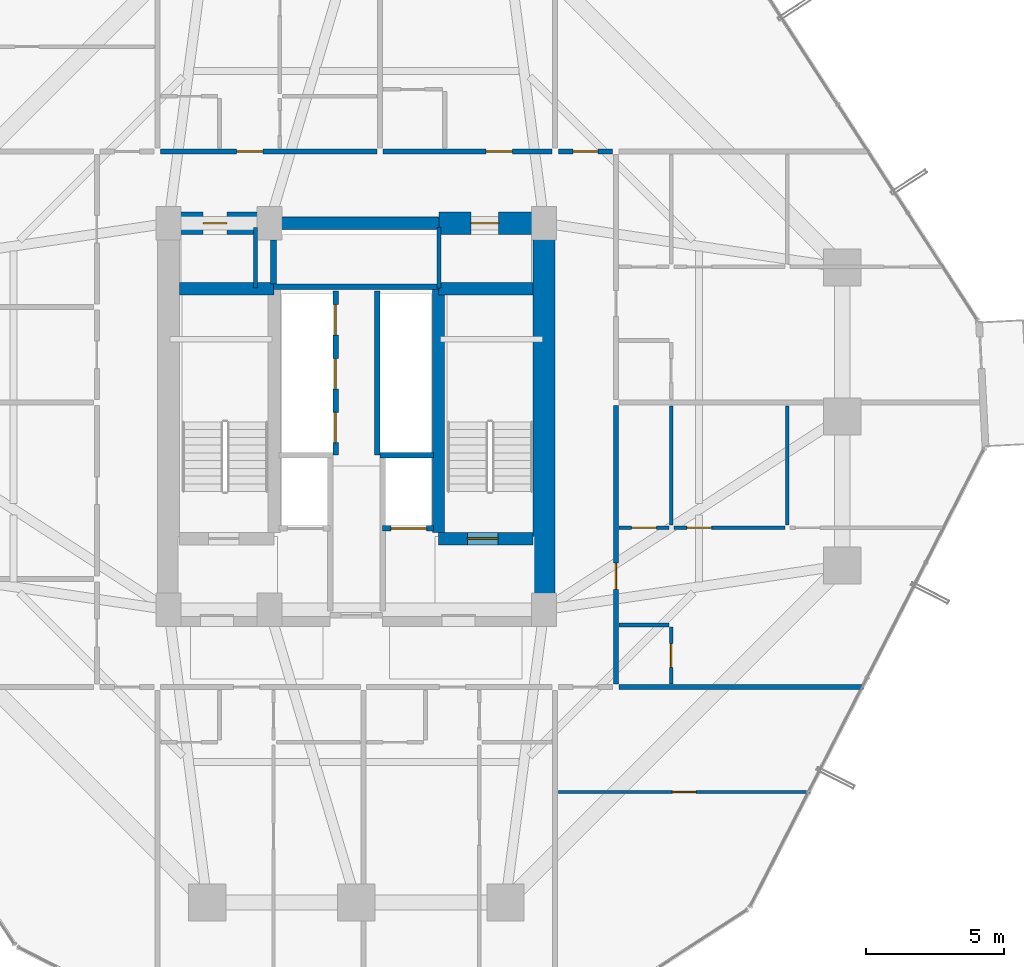
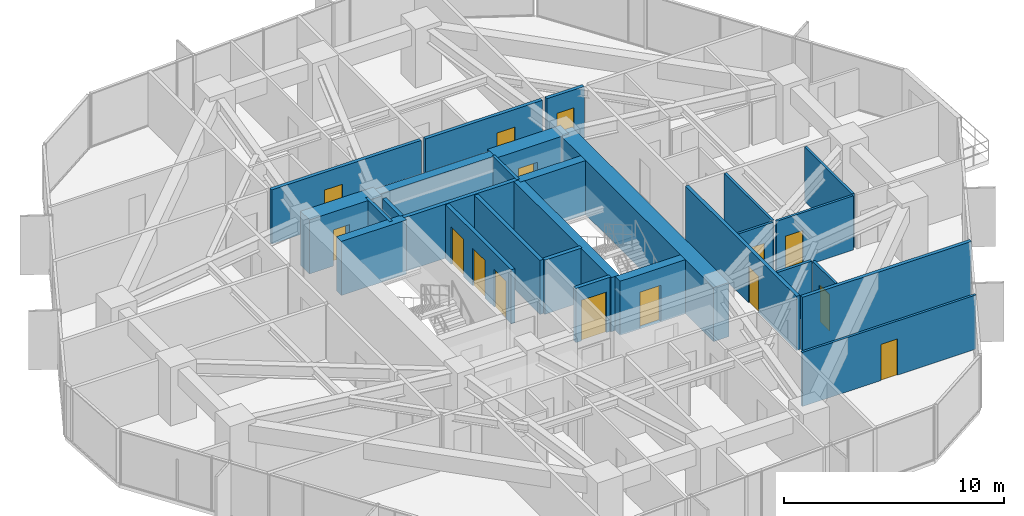
# One storey, part 34 of 37: 28 walls, 15 doors, 15 openings.
"""IFC4 building model written with IfcOpenShell, lengths in metres."""

from ifc_helpers import new_model, si_unit, direction, frame, frame_2d, origin, place, context, subcontext, project, spatial, rectangle, extrude, source, transform, mapped, material, layer, layer_set, type_object, element, fill, save


model = new_model("IFC4")

# Units and contexts
model_context = context("Model", 3, precision=1e-05, world=origin(), true_north=direction((0.0, 1.0)))
body_context = subcontext(model_context, "Body", "Model", "MODEL_VIEW")
ifc_project = project(units=[si_unit("LENGTHUNIT", "METRE"), si_unit("AREAUNIT", "SQUARE_METRE"), si_unit("VOLUMEUNIT", "CUBIC_METRE"), si_unit("PLANEANGLEUNIT", "RADIAN"), si_unit("MASSUNIT", "GRAM", prefix="KILO")], contexts=[model_context])

# Site, building, storey
site_placement = place(None, origin())
site = spatial("IfcSite", under=ifc_project, at=site_placement, CompositionType="ELEMENT")
building_placement = place(site_placement, origin())
building = spatial("IfcBuilding", under=site, at=building_placement, Name="Veraguas Prism Commons", CompositionType="ELEMENT")
storey_placement = place(building_placement, frame((0.0, 0.0, 33.800048828125)))
storey = spatial("IfcBuildingStorey", under=building, at=storey_placement, Name="L08", CompositionType="ELEMENT", Elevation=33.800048828125)

# Wall
ifc_material_1 = material(Name="Concrete C60/75", Category="concrete")
ifc_layer_1 = layer(ifc_material_1, 0.449951171875, Name="Core Internal Shear Wall Lower RC 450", Category="concrete")
ifc_layer_set_1 = layer_set([ifc_layer_1], Name="Concrete C60/75")
wall_type_1 = type_object("IfcWallType", Name="Core Internal Shear Wall Lower RC 450", PredefinedType="SHEAR", material=ifc_layer_set_1)
wall_1_placement = place(storey_placement, frame((21.0, 31.0, 0.0), z_axis=(0.0, 0.0, 1.0), x_axis=(1.0, 0.0, 0.0)))
element("IfcWall", 1, at=wall_1_placement, inside=storey, type_object=wall_type_1, Name="High-Rise Lift Bank Front Shear Wall L08", PredefinedType="SHEAR", context=body_context, shape_type="SweptSolid", body=[
    extrude(rectangle(XDim=6.0, YDim=0.449951171875, at=frame_2d((3.0, 0.0))), origin(), (0.0, 0.0, 1.0), 3.0),
])

# Wall, opening, door
wall_2_placement = place(storey_placement, frame((26.97509765625, 19.574951171875, 0.0), z_axis=(0.0, 0.0, 1.0), x_axis=(1.0, 0.0, 0.0)))
wall_2 = element("IfcWall", 2, at=wall_2_placement, inside=storey, type_object=wall_type_1, Name="Stair ST-02 South Shear Wall L08", PredefinedType="SHEAR", context=body_context, shape_type="SweptSolid", body=[
    extrude(rectangle(XDim=3.4248046875, YDim=0.449951171875, at=frame_2d((1.71240234375, 0.0))), origin(), (0.0, 0.0, 1.0), 3.0),
])
opening_1_placement = place(wall_2_placement, frame((1.050048828125, 0.0, 0.0)))
opening_1 = element("IfcOpeningElement", 3, at=opening_1_placement, cuts=wall_2, Name="Opening DR-05", PredefinedType="OPENING", context=body_context, shape_type="SweptSolid", body=[
    extrude(rectangle(XDim=1.10009765625, YDim=2.030029296875, at=frame_2d((0.550048828125, 1.01513671875))), frame((0.0, 0.23486328125, 0.0), z_axis=(0.0, -1.0, 0.0), x_axis=(1.0, 0.0, 0.0)), (0.0, 0.0, 1.0), 0.469970703125),
])
ifc_material_2 = material(Name="Steel fire-rated door assembly", Category="steel")
door_type_1 = type_object("IfcDoorType", Name="Protected Stair and Refuge Fire Door 1100x2030", OperationType="NOTDEFINED", PredefinedType="DOOR", material=ifc_material_2)
shared_shape_1 = source(origin(), body_context, "Body", "SweptSolid", [
    extrude(rectangle(XDim=1.10009765625, YDim=2.030029296875, at=frame_2d((0.550048828125, 1.01513671875))), frame((0.0, 0.02490234375, 0.0), z_axis=(0.0, -1.0, 0.0), x_axis=(1.0, 0.0, 0.0)), (0.0, 0.0, 1.0), 0.050048828125),
])
door_1_placement = place(opening_1_placement, origin())
door_1 = element("IfcDoor", 4, at=door_1_placement, inside=storey, type_object=door_type_1, Name="Stair ST-02 Enclosure Door L08", OperationType="SINGLE_SWING_RIGHT", OverallHeight=2.030029296875, OverallWidth=1.10009765625, PredefinedType="DOOR", context=body_context, shape_type="MappedRepresentation", body=[
    mapped(shared_shape_1, transform((0.0, 0.0, 0.0), scale=1.0)),
])
fill(opening_1, door_1)

# Walls
wall_3_placement = place(storey_placement, frame((26.97509765625, 19.800048828125, 0.0), z_axis=(0.0, 0.0, 1.0), x_axis=(0.0, 1.0, 0.0)))
element("IfcWall", 5, at=wall_3_placement, inside=storey, type_object=wall_type_1, Name="Stair ST-02 Inner Shear Wall L08", PredefinedType="SHEAR", context=body_context, shape_type="SweptSolid", body=[
    extrude(rectangle(XDim=8.824951171875, YDim=0.449951171875, at=frame_2d((4.41259765625, 0.0))), origin(), (0.0, 0.0, 1.0), 3.0),
])
for number, where, z_axis, x_axis, name in (
    (6, (17.60009765625, 28.625, 0.0), (0.0, 0.0, 1.0), (1.0, 0.0, 0.0), "Stair ST-01 North Shear Wall L08"),
    (7, (26.97509765625, 28.625, 0.0), (0.0, 0.0, 1.0), (1.0, 0.0, 0.0), "Stair ST-02 North Shear Wall L08"),
):
    element("IfcWall", number, at=place(storey_placement, frame(where, z_axis=z_axis, x_axis=x_axis)), inside=storey, type_object=wall_type_1, Name=name, PredefinedType="SHEAR", context=body_context, shape_type="SweptSolid", body=[
        extrude(rectangle(XDim=3.4248046875, YDim=0.449951171875, at=frame_2d((1.71240234375, 0.0))), origin(), (0.0, 0.0, 1.0), 3.0),
    ])
ifc_layer_2 = layer(ifc_material_1, 0.800048828125, Name="Core Outer Shear Wall Lower RC 800", Category="concrete")
ifc_layer_set_2 = layer_set([ifc_layer_2], Name="Concrete C60/75")
wall_type_2 = type_object("IfcWallType", Name="Core Outer Shear Wall Lower RC 800", PredefinedType="SHEAR", material=ifc_layer_set_2)
wall_4_placement = place(storey_placement, frame((30.800048828125, 16.800048828125, 0.0), z_axis=(0.0, 0.0, 1.0), x_axis=(0.0, 1.0, 0.0)))
element("IfcWall", 8, at=wall_4_placement, inside=storey, type_object=wall_type_2, Name="Central Core East Shear Wall L08", PredefinedType="SHEAR", context=body_context, shape_type="SweptSolid", body=[
    extrude(rectangle(XDim=14.199951171875, YDim=0.800048828125, at=frame_2d((7.10009765625, 0.0))), origin(), (0.0, 0.0, 1.0), 3.0),
])

# Wall, opening, door
wall_5_placement = place(storey_placement, frame((17.199951171875, 31.0, 0.0), z_axis=(0.0, 0.0, 1.0), x_axis=(1.0, 0.0, 0.0)))
wall_5 = element("IfcWall", 9, at=wall_5_placement, inside=storey, type_object=wall_type_2, Name="Central Core North-West Shear Wall L08", PredefinedType="SHEAR", context=body_context, shape_type="SweptSolid", body=[
    extrude(rectangle(XDim=3.800048828125, YDim=0.800048828125, at=frame_2d((1.89990234375, 0.0))), origin(), (0.0, 0.0, 1.0), 3.0),
])
opening_2_placement = place(wall_5_placement, frame((1.25, 0.0, 0.0)))
opening_2 = element("IfcOpeningElement", 10, at=opening_2_placement, cuts=wall_5, Name="Opening DR-12", PredefinedType="OPENING", context=body_context, shape_type="SweptSolid", body=[
    extrude(rectangle(XDim=0.860107421875, YDim=2.010009765625, at=frame_2d((0.43017578125, 1.0048828125))), frame((0.0, 0.409912109375, 0.0), z_axis=(0.0, -1.0, 0.0), x_axis=(1.0, 0.0, 0.0)), (0.0, 0.0, 1.0), 0.820068359375),
])
door_type_2 = type_object("IfcDoorType", Name="Core WC Fire Door 860x2010", OperationType="NOTDEFINED", PredefinedType="DOOR", material=ifc_material_2)
shared_shape_2 = source(origin(), body_context, "Body", "SweptSolid", [
    extrude(rectangle(XDim=0.860107421875, YDim=2.010009765625, at=frame_2d((0.43017578125, 1.0048828125))), frame((0.0, 0.02490234375, 0.0), z_axis=(0.0, -1.0, 0.0), x_axis=(1.0, 0.0, 0.0)), (0.0, 0.0, 1.0), 0.050048828125),
])
door_2_placement = place(opening_2_placement, origin())
door_2 = element("IfcDoor", 11, at=door_2_placement, inside=storey, type_object=door_type_2, Name="Core NW Service Door L08", OperationType="SINGLE_SWING_LEFT", OverallHeight=2.010009765625, OverallWidth=0.860107421875, PredefinedType="DOOR", context=body_context, shape_type="MappedRepresentation", body=[
    mapped(shared_shape_2, transform((0.0, 0.0, 0.0), scale=1.0)),
])
fill(opening_2, door_2)

wall_6_placement = place(storey_placement, frame((27.0, 31.0, 0.0), z_axis=(0.0, 0.0, 1.0), x_axis=(1.0, 0.0, 0.0)))
wall_6 = element("IfcWall", 12, at=wall_6_placement, inside=storey, type_object=wall_type_2, Name="Central Core North-East Shear Wall L08", PredefinedType="SHEAR", context=body_context, shape_type="SweptSolid", body=[
    extrude(rectangle(XDim=3.800048828125, YDim=0.800048828125, at=frame_2d((1.89990234375, 0.0))), origin(), (0.0, 0.0, 1.0), 3.0),
])
opening_3_placement = place(wall_6_placement, frame((1.14990234375, 0.0, 0.0)))
opening_3 = element("IfcOpeningElement", 13, at=opening_3_placement, cuts=wall_6, Name="Opening DR-13", PredefinedType="OPENING", context=body_context, shape_type="SweptSolid", body=[
    extrude(rectangle(XDim=1.0, YDim=2.010009765625, at=frame_2d((0.5, 1.0048828125))), frame((0.0, 0.409912109375, 0.0), z_axis=(0.0, -1.0, 0.0), x_axis=(1.0, 0.0, 0.0)), (0.0, 0.0, 1.0), 0.820068359375),
])
door_type_3 = type_object("IfcDoorType", Name="Core Accessible WC and Clinic Fire Door 1000x2010", OperationType="NOTDEFINED", PredefinedType="DOOR", material=ifc_material_2)
shared_shape_3 = source(origin(), body_context, "Body", "SweptSolid", [
    extrude(rectangle(XDim=1.0, YDim=2.010009765625, at=frame_2d((0.5, 1.0048828125))), frame((0.0, 0.02490234375, 0.0), z_axis=(0.0, -1.0, 0.0), x_axis=(1.0, 0.0, 0.0)), (0.0, 0.0, 1.0), 0.050048828125),
])
door_3_placement = place(opening_3_placement, origin())
door_3 = element("IfcDoor", 14, at=door_3_placement, inside=storey, type_object=door_type_3, Name="Core NE Pantry Door L08", OperationType="SINGLE_SWING_RIGHT", OverallHeight=2.010009765625, OverallWidth=1.0, PredefinedType="DOOR", context=body_context, shape_type="MappedRepresentation", body=[
    mapped(shared_shape_3, transform((0.0, 0.0, 0.0), scale=1.0)),
])
fill(opening_3, door_3)

ifc_material_3 = material(Name="Autoclaved aerated masonry block 10 MPa", Category="masonry")
ifc_layer_3 = layer(ifc_material_3, 0.179931640625, Name="Corridor and Inter-Tenancy Partition 180", Category="masonry")
ifc_layer_set_3 = layer_set([ifc_layer_3], Name="Autoclaved aerated masonry block 10 MPa")
wall_type_3 = type_object("IfcWallType", Name="Corridor and Inter-Tenancy Partition 180", PredefinedType="PARTITIONING", material=ifc_layer_set_3)
wall_7_placement = place(storey_placement, frame((16.909912109375, 33.60009765625, 0.0), z_axis=(0.0, 0.0, 1.0), x_axis=(1.0, 0.0, 0.0)))
wall_7 = element("IfcWall", 15, at=wall_7_placement, inside=storey, type_object=wall_type_3, Name="WL-L08-PT018", PredefinedType="PARTITIONING", context=body_context, shape_type="SweptSolid", body=[
    extrude(rectangle(XDim=7.83203125, YDim=0.179931640625, at=frame_2d((3.916015625, 0.0))), origin(), (0.0, 0.0, 1.0), 3.0),
])
opening_4_placement = place(wall_7_placement, frame((2.75439453125, 0.0, 0.0)))
opening_4 = element("IfcOpeningElement", 16, at=opening_4_placement, cuts=wall_7, Name="Opening DR-01", PredefinedType="OPENING", context=body_context, shape_type="SweptSolid", body=[
    extrude(rectangle(XDim=0.949951171875, YDim=2.02001953125, at=frame_2d((0.47509765625, 1.010009765625))), frame((0.0, 0.099853515625, 0.0), z_axis=(0.0, -1.0, 0.0), x_axis=(1.0, 0.0, 0.0)), (0.0, 0.0, 1.0), 0.199951171875),
])
ifc_material_4 = material(Name="Anodised aluminium EN AW-6063 T6", Category="aluminium")
door_type_4 = type_object("IfcDoorType", Name="Apartment Entrance Fire Door 950x2020", OperationType="NOTDEFINED", PredefinedType="DOOR", material=ifc_material_4)
shared_shape_4 = source(origin(), body_context, "Body", "SweptSolid", [
    extrude(rectangle(XDim=0.949951171875, YDim=2.02001953125, at=frame_2d((0.47509765625, 1.010009765625))), frame((0.0, 0.02490234375, 0.0), z_axis=(0.0, -1.0, 0.0), x_axis=(1.0, 0.0, 0.0)), (0.0, 0.0, 1.0), 0.050048828125),
])
door_4_placement = place(opening_4_placement, origin())
door_4 = element("IfcDoor", 17, at=door_4_placement, inside=storey, type_object=door_type_4, Name="Flat 08C Entrance Door", OperationType="SINGLE_SWING_LEFT", OverallHeight=2.02001953125, OverallWidth=0.949951171875, PredefinedType="DOOR", context=body_context, shape_type="MappedRepresentation", body=[
    mapped(shared_shape_4, transform((0.0, 0.0, 0.0), scale=1.0)),
])
fill(opening_4, door_4)

wall_8_placement = place(storey_placement, frame((24.9619140625, 33.60009765625, 0.0), z_axis=(0.0, 0.0, 1.0), x_axis=(1.0, 0.0, 0.0)))
wall_8 = element("IfcWall", 18, at=wall_8_placement, inside=storey, type_object=wall_type_3, Name="WL-L08-PT025", PredefinedType="PARTITIONING", context=body_context, shape_type="SweptSolid", body=[
    extrude(rectangle(XDim=6.128173828125, YDim=0.179931640625, at=frame_2d((3.06396484375, 0.0))), origin(), (0.0, 0.0, 1.0), 3.0),
])
opening_5_placement = place(wall_8_placement, frame((3.735595703125, 0.0, 0.0)))
opening_5 = element("IfcOpeningElement", 19, at=opening_5_placement, cuts=wall_8, Name="Opening DR-01", PredefinedType="OPENING", context=body_context, shape_type="SweptSolid", body=[
    extrude(rectangle(XDim=0.949951171875, YDim=2.02001953125, at=frame_2d((0.47509765625, 1.010009765625))), frame((0.0, 0.099853515625, 0.0), z_axis=(0.0, -1.0, 0.0), x_axis=(1.0, 0.0, 0.0)), (0.0, 0.0, 1.0), 0.199951171875),
])
door_5_placement = place(opening_5_placement, origin())
door_5 = element("IfcDoor", 20, at=door_5_placement, inside=storey, type_object=door_type_4, Name="Studio 08D Entrance Door", OperationType="SINGLE_SWING_LEFT", OverallHeight=2.02001953125, OverallWidth=0.949951171875, PredefinedType="DOOR", context=body_context, shape_type="MappedRepresentation", body=[
    mapped(shared_shape_4, transform((0.0, 0.0, 0.0), scale=1.0)),
])
fill(opening_5, door_5)

# Wall
wall_9_placement = place(storey_placement, frame((33.52001953125, 14.199951171875, 0.0), z_axis=(0.0, 0.0, 1.0), x_axis=(1.0, 0.0, 0.0)))
element("IfcWall", 21, at=wall_9_placement, inside=storey, type_object=wall_type_3, Name="WL-L08-PT037", PredefinedType="PARTITIONING", context=body_context, shape_type="SweptSolid", body=[
    extrude(rectangle(XDim=8.846923828125, YDim=0.179931640625, at=frame_2d((4.42333984375, 0.0))), origin(), (0.0, 0.0, 1.0), 3.0),
])

# Wall, opening, door
wall_10_placement = place(storey_placement, frame((33.39990234375, 14.31005859375, 0.0), z_axis=(0.0, 0.0, 1.0), x_axis=(0.0, 1.0, 0.0)))
wall_10 = element("IfcWall", 22, at=wall_10_placement, inside=storey, type_object=wall_type_3, Name="WL-L08-PT039", PredefinedType="PARTITIONING", context=body_context, shape_type="SweptSolid", body=[
    extrude(rectangle(XDim=10.087890625, YDim=0.179931640625, at=frame_2d((5.0439453125, 0.0))), origin(), (0.0, 0.0, 1.0), 3.0),
])
opening_6_placement = place(wall_10_placement, frame((3.426025390625, 0.0, 0.0)))
opening_6 = element("IfcOpeningElement", 23, at=opening_6_placement, cuts=wall_10, Name="Opening DR-01", PredefinedType="OPENING", context=body_context, shape_type="SweptSolid", body=[
    extrude(rectangle(XDim=0.949951171875, YDim=2.02001953125, at=frame_2d((0.47509765625, 1.010009765625))), frame((0.0, 0.099853515625, 0.0), z_axis=(0.0, -1.0, 0.0), x_axis=(1.0, 0.0, 0.0)), (0.0, 0.0, 1.0), 0.199951171875),
])
door_6_placement = place(opening_6_placement, origin())
door_6 = element("IfcDoor", 24, at=door_6_placement, inside=storey, type_object=door_type_4, Name="Flat 08E Entrance Door", OperationType="SINGLE_SWING_LEFT", OverallHeight=2.02001953125, OverallWidth=0.949951171875, PredefinedType="DOOR", context=body_context, shape_type="MappedRepresentation", body=[
    mapped(shared_shape_4, transform((0.0, 0.0, 0.0), scale=1.0)),
])
fill(opening_6, door_6)

wall_11_placement = place(storey_placement, frame((31.320068359375, 33.60009765625, 0.0), z_axis=(0.0, 0.0, 1.0), x_axis=(1.0, 0.0, 0.0)))
wall_11 = element("IfcWall", 25, at=wall_11_placement, inside=storey, type_object=wall_type_3, Name="WL-L08-PT061", PredefinedType="PARTITIONING", context=body_context, shape_type="SweptSolid", body=[
    extrude(rectangle(XDim=1.9599609375, YDim=0.179931640625, at=frame_2d((0.97998046875, 0.0))), origin(), (0.0, 0.0, 1.0), 3.0),
])
opening_7_placement = place(wall_11_placement, frame((0.530029296875, 0.0, 0.0)))
opening_7 = element("IfcOpeningElement", 26, at=opening_7_placement, cuts=wall_11, Name="Opening DR-14", PredefinedType="OPENING", context=body_context, shape_type="SweptSolid", body=[
    extrude(rectangle(XDim=0.89990234375, YDim=2.010009765625, at=frame_2d((0.449951171875, 1.0048828125))), frame((0.0, 0.099853515625, 0.0), z_axis=(0.0, -1.0, 0.0), x_axis=(1.0, 0.0, 0.0)), (0.0, 0.0, 1.0), 0.199951171875),
])
door_type_5 = type_object("IfcDoorType", Name="Core Service Room Fire Door 900x2010", OperationType="NOTDEFINED", PredefinedType="DOOR", material=ifc_material_2)
shared_shape_5 = source(origin(), body_context, "Body", "SweptSolid", [
    extrude(rectangle(XDim=0.89990234375, YDim=2.010009765625, at=frame_2d((0.449951171875, 1.0048828125))), frame((0.0, 0.02490234375, 0.0), z_axis=(0.0, -1.0, 0.0), x_axis=(1.0, 0.0, 0.0)), (0.0, 0.0, 1.0), 0.050048828125),
])
door_7_placement = place(opening_7_placement, origin())
door_7 = element("IfcDoor", 27, at=door_7_placement, inside=storey, type_object=door_type_5, Name="Residents Cycle and Pram Store NE Door", OperationType="SINGLE_SWING_RIGHT", OverallHeight=2.010009765625, OverallWidth=0.89990234375, PredefinedType="DOOR", context=body_context, shape_type="MappedRepresentation", body=[
    mapped(shared_shape_5, transform((0.0, 0.0, 0.0), scale=1.0)),
])
fill(opening_7, door_7)

ifc_material_5 = material(Name="Lightweight acoustic gypsum board")
ifc_layer_4 = layer(ifc_material_5, 0.125, Name="Internal Apartment Room Partition 125")
ifc_layer_set_4 = layer_set([ifc_layer_4], Name="Lightweight acoustic gypsum board")
wall_type_4 = type_object("IfcWallType", Name="Internal Apartment Room Partition 125", PredefinedType="PARTITIONING", material=ifc_layer_set_4)
wall_12_placement = place(storey_placement, frame((35.39990234375, 14.320068359375, 0.0), z_axis=(0.0, 0.0, 1.0), x_axis=(0.0, 1.0, 0.0)))
wall_12 = element("IfcWall", 28, at=wall_12_placement, inside=storey, type_object=wall_type_4, Name="WL-L08-PT041", PredefinedType="PARTITIONING", context=body_context, shape_type="SweptSolid", body=[
    extrude(rectangle(XDim=2.050048828125, YDim=0.125, at=frame_2d((1.02490234375, 0.0))), origin(), (0.0, 0.0, 1.0), 3.0),
])
opening_8_placement = place(wall_12_placement, frame((0.594970703125, 0.0, 0.0)))
opening_8 = element("IfcOpeningElement", 29, at=opening_8_placement, cuts=wall_12, Name="Opening DR-03", PredefinedType="OPENING", context=body_context, shape_type="SweptSolid", body=[
    extrude(rectangle(XDim=0.860107421875, YDim=2.010009765625, at=frame_2d((0.43017578125, 1.0048828125))), frame((0.0, 0.072509765625, 0.0), z_axis=(0.0, -1.0, 0.0), x_axis=(1.0, 0.0, 0.0)), (0.0, 0.0, 1.0), 0.14501953125),
])
ifc_material_6 = material(Name="Timber moisture-resistant leaf", Category="wood")
door_type_6 = type_object("IfcDoorType", Name="Internal Bathroom Door 860x2010", OperationType="NOTDEFINED", PredefinedType="DOOR", material=ifc_material_6)
door_8_placement = place(opening_8_placement, origin())
door_8 = element("IfcDoor", 30, at=door_8_placement, inside=storey, type_object=door_type_6, Name="Flat 08E Bathroom Door", OperationType="SINGLE_SWING_RIGHT", OverallHeight=2.010009765625, OverallWidth=0.860107421875, PredefinedType="DOOR", context=body_context, shape_type="MappedRepresentation", body=[
    mapped(shared_shape_2, transform((0.0, 0.0, 0.0), scale=1.0)),
])
fill(opening_8, door_8)

wall_13_placement = place(storey_placement, frame((33.52001953125, 19.971923828125, 0.0), z_axis=(0.0, 0.0, 1.0), x_axis=(1.0, 0.0, 0.0)))
wall_13 = element("IfcWall", 31, at=wall_13_placement, inside=storey, type_object=wall_type_4, Name="WL-L08-PT042", PredefinedType="PARTITIONING", context=body_context, shape_type="SweptSolid", body=[
    extrude(rectangle(XDim=1.800048828125, YDim=0.125, at=frame_2d((0.89990234375, 0.0))), origin(), (0.0, 0.0, 1.0), 3.0),
])
opening_9_placement = place(wall_13_placement, frame((0.449951171875, 0.0, 0.0)))
opening_9 = element("IfcOpeningElement", 32, at=opening_9_placement, cuts=wall_13, Name="Opening DR-02", PredefinedType="OPENING", context=body_context, shape_type="SweptSolid", body=[
    extrude(rectangle(XDim=0.89990234375, YDim=2.010009765625, at=frame_2d((0.449951171875, 1.0048828125))), frame((0.0, 0.072509765625, 0.0), z_axis=(0.0, -1.0, 0.0), x_axis=(1.0, 0.0, 0.0)), (0.0, 0.0, 1.0), 0.14501953125),
])
ifc_material_7 = material(Name="Timber solid core hardwood", Category="wood")
door_type_7 = type_object("IfcDoorType", Name="Internal Habitable Room Door 900x2010", OperationType="NOTDEFINED", PredefinedType="DOOR", material=ifc_material_7)
door_9_placement = place(opening_9_placement, origin())
door_9 = element("IfcDoor", 33, at=door_9_placement, inside=storey, type_object=door_type_7, Name="Flat 08E Kitchen Door", OperationType="SINGLE_SWING_LEFT", OverallHeight=2.010009765625, OverallWidth=0.89990234375, PredefinedType="DOOR", context=body_context, shape_type="MappedRepresentation", body=[
    mapped(shared_shape_5, transform((0.0, 0.0, 0.0), scale=1.0)),
])
fill(opening_9, door_9)

# Walls
for number, where, z_axis, x_axis, name in (
    (34, (35.39990234375, 20.072021484375, 0.0), (0.0, 0.0, 1.0), (0.0, 1.0, 0.0), "WL-L08-PT043"),
    (35, (39.60009765625, 20.072021484375, 0.0), (0.0, 0.0, 1.0), (0.0, 1.0, 0.0), "WL-L08-PT044"),
):
    element("IfcWall", number, at=place(storey_placement, frame(where, z_axis=z_axis, x_axis=x_axis)), inside=storey, type_object=wall_type_4, Name=name, PredefinedType="PARTITIONING", context=body_context, shape_type="SweptSolid", body=[
        extrude(rectangle(XDim=4.31591796875, YDim=0.125, at=frame_2d((2.157958984375, 0.0))), origin(), (0.0, 0.0, 1.0), 3.0),
    ])

# Wall, opening, door
wall_14_placement = place(storey_placement, frame((35.5, 19.971923828125, 0.0), z_axis=(0.0, 0.0, 1.0), x_axis=(1.0, 0.0, 0.0)))
wall_14 = element("IfcWall", 36, at=wall_14_placement, inside=storey, type_object=wall_type_4, Name="WL-L08-PT045", PredefinedType="PARTITIONING", context=body_context, shape_type="SweptSolid", body=[
    extrude(rectangle(XDim=4.02001953125, YDim=0.125, at=frame_2d((2.010009765625, 0.0))), origin(), (0.0, 0.0, 1.0), 3.0),
])
opening_10_placement = place(wall_14_placement, frame((0.471923828125, 0.0, 0.0)))
opening_10 = element("IfcOpeningElement", 37, at=opening_10_placement, cuts=wall_14, Name="Opening DR-02", PredefinedType="OPENING", context=body_context, shape_type="SweptSolid", body=[
    extrude(rectangle(XDim=0.89990234375, YDim=2.010009765625, at=frame_2d((0.449951171875, 1.0048828125))), frame((0.0, 0.072509765625, 0.0), z_axis=(0.0, -1.0, 0.0), x_axis=(1.0, 0.0, 0.0)), (0.0, 0.0, 1.0), 0.14501953125),
])
door_10_placement = place(opening_10_placement, origin())
door_10 = element("IfcDoor", 38, at=door_10_placement, inside=storey, type_object=door_type_7, Name="Flat 08E Bedroom 1 Door", OperationType="SINGLE_SWING_RIGHT", OverallHeight=2.010009765625, OverallWidth=0.89990234375, PredefinedType="DOOR", context=body_context, shape_type="MappedRepresentation", body=[
    mapped(shared_shape_5, transform((0.0, 0.0, 0.0), scale=1.0)),
])
fill(opening_10, door_10)

wall_15_placement = place(storey_placement, frame((31.320068359375, 10.39990234375, 0.0), z_axis=(0.0, 0.0, 1.0), x_axis=(1.0, 0.0, 0.0)))
wall_15 = element("IfcWall", 39, at=wall_15_placement, inside=storey, type_object=wall_type_4, Name="WL-L08-PT058", PredefinedType="PARTITIONING", context=body_context, shape_type="SweptSolid", body=[
    extrude(rectangle(XDim=9.105712890625, YDim=0.125, at=frame_2d((4.552734375, 0.0))), origin(), (0.0, 0.0, 1.0), 3.0),
])
opening_11_placement = place(wall_15_placement, frame((4.122802734375, 0.0, 0.0)))
opening_11 = element("IfcOpeningElement", 40, at=opening_11_placement, cuts=wall_15, Name="Opening DR-03", PredefinedType="OPENING", context=body_context, shape_type="SweptSolid", body=[
    extrude(rectangle(XDim=0.860107421875, YDim=2.010009765625, at=frame_2d((0.43017578125, 1.0048828125))), frame((0.0, 0.072509765625, 0.0), z_axis=(0.0, -1.0, 0.0), x_axis=(1.0, 0.0, 0.0)), (0.0, 0.0, 1.0), 0.14501953125),
])
door_11_placement = place(opening_11_placement, origin())
door_11 = element("IfcDoor", 41, at=door_11_placement, inside=storey, type_object=door_type_6, Name="Corner Store SE Door", OperationType="SINGLE_SWING_LEFT", OverallHeight=2.010009765625, OverallWidth=0.860107421875, PredefinedType="DOOR", context=body_context, shape_type="MappedRepresentation", body=[
    mapped(shared_shape_2, transform((0.0, 0.0, 0.0), scale=1.0)),
])
fill(opening_11, door_11)

ifc_layer_5 = layer(ifc_material_3, 0.199951171875, Name="Rated Shaft and Lobby Block Wall 200", Category="masonry")
ifc_layer_set_5 = layer_set([ifc_layer_5], Name="Autoclaved aerated masonry block 10 MPa")
wall_type_5 = type_object("IfcWallType", Name="Rated Shaft and Lobby Block Wall 200", PredefinedType="SOLIDWALL", material=ifc_layer_set_5)
wall_16_placement = place(storey_placement, frame((24.949951171875, 19.949951171875, 0.0), z_axis=(0.0, 0.0, 1.0), x_axis=(1.0, 0.0, 0.0)))
wall_16 = element("IfcWall", 42, at=wall_16_placement, inside=storey, type_object=wall_type_5, Name="Firefighting Lift FFL-2 Front Wall L08", PredefinedType="SOLIDWALL", context=body_context, shape_type="SweptSolid", body=[
    extrude(rectangle(XDim=1.85009765625, YDim=0.199951171875, at=frame_2d((0.925048828125, 0.0))), origin(), (0.0, 0.0, 1.0), 3.0),
])
opening_12_placement = place(wall_16_placement, frame((0.300048828125, 0.0, 0.0)))
opening_12 = element("IfcOpeningElement", 43, at=opening_12_placement, cuts=wall_16, Name="Opening LD-02", PredefinedType="OPENING", context=body_context, shape_type="SweptSolid", body=[
    extrude(rectangle(XDim=1.300048828125, YDim=2.25, at=frame_2d((0.64990234375, 1.125))), frame((0.0, 0.10986328125, 0.0), z_axis=(0.0, -1.0, 0.0), x_axis=(1.0, 0.0, 0.0)), (0.0, 0.0, 1.0), 0.219970703125),
])
ifc_material_8 = material(Name="Stainless steel AISI 316", Category="steel")
door_type_8 = type_object("IfcDoorType", Name="Firefighting Lift Sliding Landing Door 1300x2250", OperationType="NOTDEFINED", PredefinedType="DOOR", material=ifc_material_8)
shared_shape_6 = source(origin(), body_context, "Body", "SweptSolid", [
    extrude(rectangle(XDim=1.300048828125, YDim=2.25, at=frame_2d((0.64990234375, 1.125))), frame((0.0, 0.02490234375, 0.0), z_axis=(0.0, -1.0, 0.0), x_axis=(1.0, 0.0, 0.0)), (0.0, 0.0, 1.0), 0.050048828125),
])
door_12_placement = place(opening_12_placement, origin())
door_12 = element("IfcDoor", 44, at=door_12_placement, inside=storey, type_object=door_type_8, Name="Firefighting Lift FFL-2 Front Wall L08", OperationType="SLIDING_TO_LEFT", OverallHeight=2.25, OverallWidth=1.300048828125, PredefinedType="DOOR", context=body_context, shape_type="MappedRepresentation", body=[
    mapped(shared_shape_6, transform((0.0, 0.0, 0.0), scale=1.0)),
])
fill(opening_12, door_12)

# Walls
wall_17_placement = place(storey_placement, frame((24.85009765625, 22.60009765625, 0.0), z_axis=(0.0, 0.0, 1.0), x_axis=(1.0, 0.0, 0.0)))
element("IfcWall", 45, at=wall_17_placement, inside=storey, type_object=wall_type_5, Name="Firefighting Lift FFL-2 Rear Wall L08", PredefinedType="SOLIDWALL", context=body_context, shape_type="SweptSolid", body=[
    extrude(rectangle(XDim=1.949951171875, YDim=0.199951171875, at=frame_2d((0.97509765625, 0.0))), origin(), (0.0, 0.0, 1.0), 3.0),
])
wall_18_placement = place(storey_placement, frame((21.0, 28.699951171875, 0.0), z_axis=(0.0, 0.0, 1.0), x_axis=(1.0, 0.0, 0.0)))
element("IfcWall", 46, at=wall_18_placement, inside=storey, type_object=wall_type_5, Name="High-Rise Lift Bank Rear Shaft Wall L08", PredefinedType="SOLIDWALL", context=body_context, shape_type="SweptSolid", body=[
    extrude(rectangle(XDim=6.0, YDim=0.199951171875, at=frame_2d((3.0, 0.0))), origin(), (0.0, 0.0, 1.0), 3.0),
])
wall_19_placement = place(storey_placement, frame((21.0, 28.800048828125, 0.0), z_axis=(0.0, 0.0, 1.0), x_axis=(0.0, 1.0, 0.0)))
element("IfcWall", 47, at=wall_19_placement, inside=storey, type_object=wall_type_5, Name="High-Rise Lift Bank West Shaft Wall L08", PredefinedType="SOLIDWALL", context=body_context, shape_type="SweptSolid", body=[
    extrude(rectangle(XDim=1.599853515625, YDim=0.199951171875, at=frame_2d((0.7998046875, 0.0))), origin(), (0.0, 0.0, 1.0), 3.0),
])

# Wall, openings, doors
wall_20_placement = place(storey_placement, frame((23.25, 22.60009765625, 0.0), z_axis=(0.0, 0.0, 1.0), x_axis=(0.0, 1.0, 0.0)))
wall_20 = element("IfcWall", 48, at=wall_20_placement, inside=storey, type_object=wall_type_5, Name="Low-Rise Lift Bank Front Wall L08", PredefinedType="SOLIDWALL", context=body_context, shape_type="SweptSolid", body=[
    extrude(rectangle(XDim=5.949951171875, YDim=0.199951171875, at=frame_2d((2.97509765625, 0.0))), origin(), (0.0, 0.0, 1.0), 3.0),
])
opening_13_placement = place(wall_20_placement, frame((0.449951171875, 0.0, 0.0)))
opening_13 = element("IfcOpeningElement", 49, at=opening_13_placement, cuts=wall_20, Name="Opening LD-01", PredefinedType="OPENING", context=body_context, shape_type="SweptSolid", body=[
    extrude(rectangle(XDim=1.10009765625, YDim=2.080078125, at=frame_2d((0.550048828125, 1.0400390625))), frame((0.0, 0.10986328125, 0.0), z_axis=(0.0, -1.0, 0.0), x_axis=(1.0, 0.0, 0.0)), (0.0, 0.0, 1.0), 0.219970703125),
])
opening_14_placement = place(wall_20_placement, frame((2.39990234375, 0.0, 0.0)))
opening_14 = element("IfcOpeningElement", 50, at=opening_14_placement, cuts=wall_20, Name="Opening LD-01", PredefinedType="OPENING", context=body_context, shape_type="SweptSolid", body=[
    extrude(rectangle(XDim=1.10009765625, YDim=2.080078125, at=frame_2d((0.550048828125, 1.0400390625))), frame((0.0, 0.10986328125, 0.0), z_axis=(0.0, -1.0, 0.0), x_axis=(1.0, 0.0, 0.0)), (0.0, 0.0, 1.0), 0.219970703125),
])
opening_15_placement = place(wall_20_placement, frame((4.35009765625, 0.0, 0.0)))
opening_15 = element("IfcOpeningElement", 51, at=opening_15_placement, cuts=wall_20, Name="Opening LD-01", PredefinedType="OPENING", context=body_context, shape_type="SweptSolid", body=[
    extrude(rectangle(XDim=1.10009765625, YDim=2.080078125, at=frame_2d((0.550048828125, 1.0400390625))), frame((0.0, 0.10986328125, 0.0), z_axis=(0.0, -1.0, 0.0), x_axis=(1.0, 0.0, 0.0)), (0.0, 0.0, 1.0), 0.219970703125),
])
door_type_9 = type_object("IfcDoorType", Name="Passenger Lift Sliding Landing Door 1100x2080", OperationType="NOTDEFINED", PredefinedType="DOOR", material=ifc_material_8)
shared_shape_7 = source(origin(), body_context, "Body", "SweptSolid", [
    extrude(rectangle(XDim=1.10009765625, YDim=2.080078125, at=frame_2d((0.550048828125, 1.0400390625))), frame((0.0, 0.02490234375, 0.0), z_axis=(0.0, -1.0, 0.0), x_axis=(1.0, 0.0, 0.0)), (0.0, 0.0, 1.0), 0.050048828125),
])
door_13_placement = place(opening_13_placement, origin())
door_13 = element("IfcDoor", 52, at=door_13_placement, inside=storey, type_object=door_type_9, Name="Sliding Landing Door PL-L1 L08", OperationType="SLIDING_TO_LEFT", OverallHeight=2.080078125, OverallWidth=1.10009765625, PredefinedType="DOOR", context=body_context, shape_type="MappedRepresentation", body=[
    mapped(shared_shape_7, transform((0.0, 0.0, 0.0), scale=1.0)),
])
fill(opening_13, door_13)
door_14_placement = place(opening_14_placement, origin())
door_14 = element("IfcDoor", 53, at=door_14_placement, inside=storey, type_object=door_type_9, Name="Sliding Landing Door PL-L2 L08", OperationType="SLIDING_TO_LEFT", OverallHeight=2.080078125, OverallWidth=1.10009765625, PredefinedType="DOOR", context=body_context, shape_type="MappedRepresentation", body=[
    mapped(shared_shape_7, transform((0.0, 0.0, 0.0), scale=1.0)),
])
fill(opening_14, door_14)
door_15_placement = place(opening_15_placement, origin())
door_15 = element("IfcDoor", 54, at=door_15_placement, inside=storey, type_object=door_type_9, Name="Sliding Landing Door PL-L3 L08", OperationType="SLIDING_TO_LEFT", OverallHeight=2.080078125, OverallWidth=1.10009765625, PredefinedType="DOOR", context=body_context, shape_type="MappedRepresentation", body=[
    mapped(shared_shape_7, transform((0.0, 0.0, 0.0), scale=1.0)),
])
fill(opening_15, door_15)

# Walls
wall_21_placement = place(storey_placement, frame((24.75, 22.60009765625, 0.0), z_axis=(0.0, 0.0, 1.0), x_axis=(0.0, 1.0, 0.0)))
element("IfcWall", 55, at=wall_21_placement, inside=storey, type_object=wall_type_5, Name="Mid-Rise Lift Bank Front Wall L08", PredefinedType="SOLIDWALL", context=body_context, shape_type="SweptSolid", body=[
    extrude(rectangle(XDim=5.949951171875, YDim=0.199951171875, at=frame_2d((2.97509765625, 0.0))), origin(), (0.0, 0.0, 1.0), 3.0),
])
ifc_layer_6 = layer(ifc_material_5, 0.14990234375, Name="Wet Room and Clinic Acoustic Partition 150")
ifc_layer_set_6 = layer_set([ifc_layer_6], Name="Lightweight acoustic gypsum board")
wall_type_6 = type_object("IfcWallType", Name="Wet Room and Clinic Acoustic Partition 150", PredefinedType="PARTITIONING", material=ifc_layer_set_6)
for number, where, z_axis, x_axis, name in (
    (56, (20.35009765625, 28.64990234375, 0.0), (0.0, 0.0, 1.0), (0.0, 1.0, 0.0), "Core NW Service Inner Wall L08"),
    (57, (27.0, 28.64990234375, 0.0), (0.0, 0.0, 1.0), (0.0, 1.0, 0.0), "Core NE Service Inner Wall L08"),
):
    element("IfcWall", number, at=place(storey_placement, frame(where, z_axis=z_axis, x_axis=x_axis)), inside=storey, type_object=wall_type_6, Name=name, PredefinedType="PARTITIONING", context=body_context, shape_type="SweptSolid", body=[
        extrude(rectangle(XDim=2.2001953125, YDim=0.14990234375, at=frame_2d((1.10009765625, 0.0))), origin(), (0.0, 0.0, 1.0), 3.0),
    ])
wall_22_placement = place(storey_placement, frame((33.52001953125, 16.449951171875, 0.0), z_axis=(0.0, 0.0, 1.0), x_axis=(1.0, 0.0, 0.0)))
element("IfcWall", 58, at=wall_22_placement, inside=storey, type_object=wall_type_6, Name="WL-L08-PT040", PredefinedType="PARTITIONING", context=body_context, shape_type="SweptSolid", body=[
    extrude(rectangle(XDim=1.800048828125, YDim=0.14990234375, at=frame_2d((0.89990234375, 0.0))), origin(), (0.0, 0.0, 1.0), 3.0),
])

save(model, "model.ifc")
